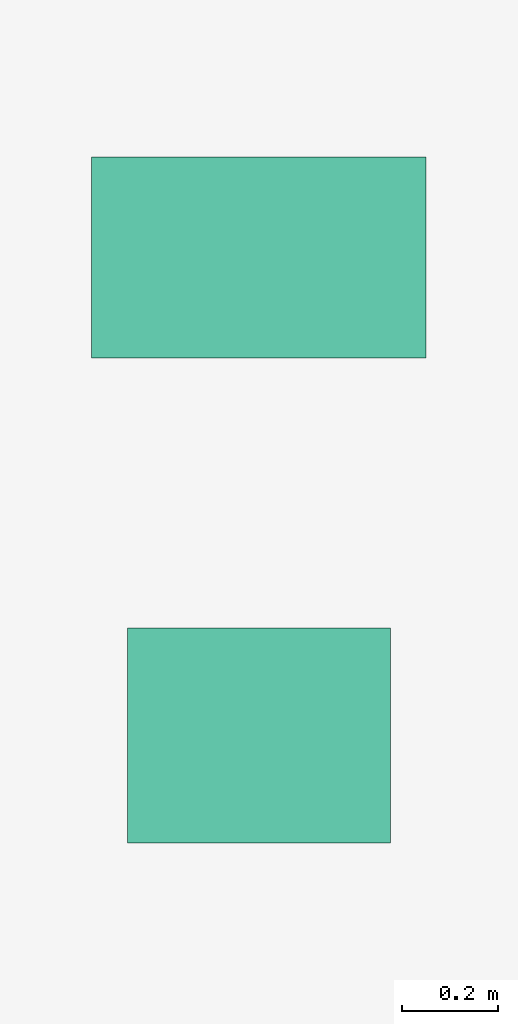
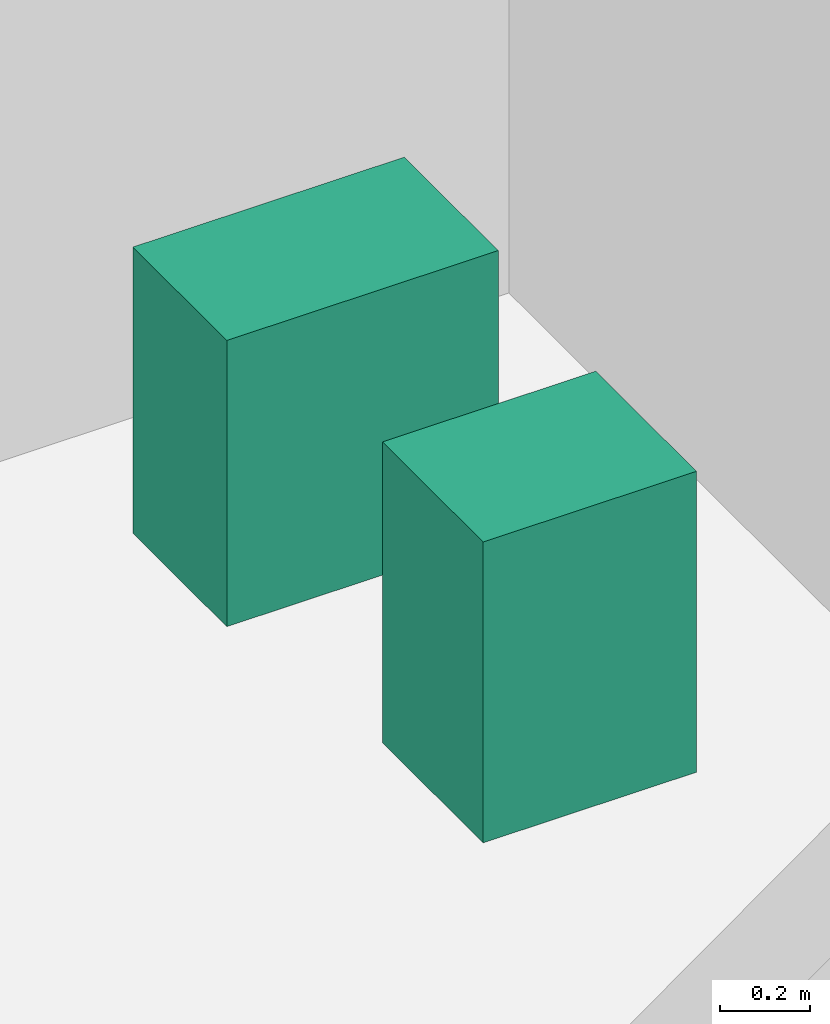
# One storey, part 29 of 29: 2 sanitary terminals.
"""IFC4 building model written with IfcOpenShell, lengths in metres."""

from ifc_helpers import new_model, si_unit, direction, frame, origin, origin_2d, place, context, subcontext, project, spatial, rectangle, extrude, source, transform, mapped, material, type_object, element, save


model = new_model("IFC4")

# Units and contexts
model_context = context("Model", 3, precision=1e-05, world=origin(), true_north=direction((0.0, 1.0)))
body_context = subcontext(model_context, "Body", "Model", "MODEL_VIEW")
ifc_project = project(units=[si_unit("LENGTHUNIT", "METRE"), si_unit("AREAUNIT", "SQUARE_METRE"), si_unit("VOLUMEUNIT", "CUBIC_METRE"), si_unit("PLANEANGLEUNIT", "RADIAN"), si_unit("MASSUNIT", "GRAM", prefix="KILO")], contexts=[model_context])

# Site, building, storey
site_placement = place(None, origin())
site = spatial("IfcSite", under=ifc_project, at=site_placement, CompositionType="ELEMENT")
building_placement = place(site_placement, origin())
building = spatial("IfcBuilding", under=site, at=building_placement, Name="Sumidabori Civic Tower", CompositionType="ELEMENT")
storey_placement = place(building_placement, frame((0.0, 0.0, 218.0)))
storey = spatial("IfcBuildingStorey", under=building, at=storey_placement, Name="L56", CompositionType="ELEMENT", Elevation=218.0)

# Sanitary terminals
ifc_material = material(Name="Vitreous Sanitary Porcelain")
sanitary_terminal_type_1 = type_object("IfcSanitaryTerminalType", Name="SN-WC-1", PredefinedType="TOILETPAN", material=ifc_material)
shared_shape_1 = source(origin(), body_context, "Body", "SweptSolid", [
    extrude(rectangle(XDim=0.699951171875, YDim=0.419921875, at=origin_2d()), origin(), (0.0, 0.0, 1.0), 0.780029296875),
])
sanitary_terminal_1_placement = place(storey_placement, frame((10.800048828125, 21.85009765625, 0.0), z_axis=(0.0, 0.0, 1.0), x_axis=(1.0, 0.0, 0.0)))
element("IfcSanitaryTerminal", 1, at=sanitary_terminal_1_placement, inside=storey, type_object=sanitary_terminal_type_1, Name="Accessible WC Pan L56", PredefinedType="TOILETPAN", context=body_context, shape_type="MappedRepresentation", body=[
    mapped(shared_shape_1, transform((0.0, 0.0, 0.0), x_axis=(1.0, 0.0, 0.0), y_axis=(0.0, 1.0, 0.0), z_axis=(0.0, 0.0, 1.0), scale=1.0)),
])
sanitary_terminal_type_2 = type_object("IfcSanitaryTerminalType", Name="SN-BAS-1", PredefinedType="WASHHANDBASIN", material=ifc_material)
shared_shape_2 = source(origin(), body_context, "Body", "SweptSolid", [
    extrude(rectangle(XDim=0.550048828125, YDim=0.449951171875, at=origin_2d()), origin(), (0.0, 0.0, 1.0), 0.820068359375),
])
sanitary_terminal_2_placement = place(storey_placement, frame((10.800048828125, 20.85009765625, 0.0), z_axis=(0.0, 0.0, 1.0), x_axis=(1.0, 0.0, 0.0)))
element("IfcSanitaryTerminal", 2, at=sanitary_terminal_2_placement, inside=storey, type_object=sanitary_terminal_type_2, Name="Accessible Basin L56", PredefinedType="WASHHANDBASIN", context=body_context, shape_type="MappedRepresentation", body=[
    mapped(shared_shape_2, transform((0.0, 0.0, 0.0), x_axis=(1.0, 0.0, 0.0), y_axis=(0.0, 1.0, 0.0), z_axis=(0.0, 0.0, 1.0), scale=1.0)),
])

save(model, "model.ifc")
